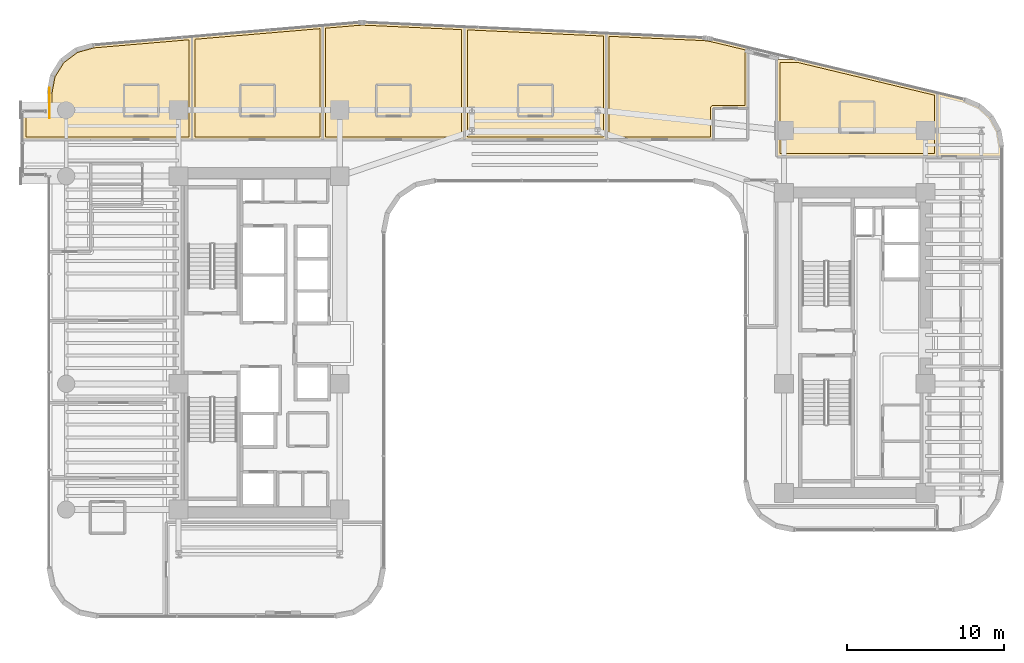
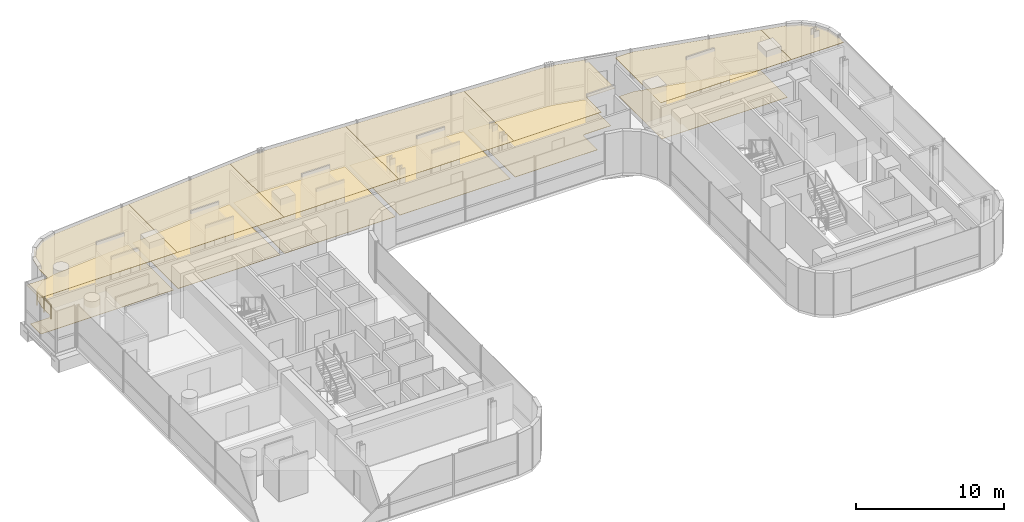
# One storey, part 35 of 35: 13 coverings, 1 railing.
"""IFC4 building model written with IfcOpenShell, lengths in metres."""

from ifc_helpers import new_model, si_unit, direction, frame, origin, origin_2d, place, context, subcontext, project, spatial, polyline, circle, outline, extrude, material, layer, layer_set, type_object, element, save


model = new_model("IFC4")

# Units and contexts
model_context = context("Model", 3, precision=1e-05, world=origin(), true_north=direction((0.0, 1.0)))
body_context = subcontext(model_context, "Body", "Model", "MODEL_VIEW")
ifc_project = project(units=[si_unit("LENGTHUNIT", "METRE"), si_unit("AREAUNIT", "SQUARE_METRE"), si_unit("VOLUMEUNIT", "CUBIC_METRE"), si_unit("PLANEANGLEUNIT", "RADIAN"), si_unit("MASSUNIT", "GRAM", prefix="KILO")], contexts=[model_context])

# Site, building, storey
site_placement = place(None, origin())
site = spatial("IfcSite", under=ifc_project, at=site_placement, CompositionType="ELEMENT")
building_placement = place(site_placement, origin())
building = spatial("IfcBuilding", under=site, at=building_placement, Name="Valdorenza Pilgrim Sanctuary Tower", CompositionType="ELEMENT")
storey_placement = place(building_placement, frame((0.0, 0.0, 116.800048828125)))
storey = spatial("IfcBuildingStorey", under=building, at=storey_placement, Name="L29", CompositionType="ELEMENT", Elevation=116.800048828125)

# Coverings
ifc_material_1 = material(Name="Micro-perforated acoustic mineral ceiling tile", Category="gypsum")
ifc_layer_1 = layer(ifc_material_1, 0.02490234375, Name="Micro-perforated acoustic mineral ceiling tile")
ifc_layer_set_1 = layer_set([ifc_layer_1], Name="Micro-perforated acoustic mineral ceiling tile")
covering_type_1 = type_object("IfcCoveringType", Name="COV-CLG-ACU", PredefinedType="CEILING", material=ifc_layer_set_1)
covering_1_placement = place(storey_placement, frame((0.0, 0.0, 3.159912109375)))
element("IfcCovering", 1, at=covering_1_placement, inside=storey, type_object=covering_type_1, Name="L29 North Guest Room L29-N1 Acoustic Ceiling", PredefinedType="CEILING", context=body_context, shape_type="SweptSolid", body=[
    extrude(outline(polyline([(-31.00048828125, 14.705078125), (-30.99072265625, 14.70556640625), (-30.9814453125, 14.706787109375), (-30.972412109375, 14.708984375), (-30.963623046875, 14.712158203125), (-30.955078125, 14.71630859375), (-30.947265625, 14.720947265625), (-30.939697265625, 14.7265625), (-30.932861328125, 14.73291015625), (-30.926513671875, 14.73974609375), (-30.9208984375, 14.747314453125), (-30.916259765625, 14.755126953125), (-30.912109375, 14.763671875), (-30.9091796875, 14.7724609375), (-30.90673828125, 14.781494140625), (-30.905517578125, 14.790771484375), (-30.905029296875, 14.80029296875), (-30.905029296875, 15.850341796875), (-30.90478515625, 15.8515625), (-30.90478515625, 15.85302734375), (-30.692138671875, 16.984130859375), (-30.69189453125, 16.985595703125), (-30.69140625, 16.98681640625), (-30.69091796875, 16.98828125), (-30.690185546875, 16.989501953125), (-30.0869140625, 17.95751953125), (-30.086181640625, 17.958740234375), (-30.085205078125, 17.959716796875), (-30.084228515625, 17.960693359375), (-30.083251953125, 17.961669921875), (-29.169677734375, 18.64453125), (-29.16845703125, 18.6455078125), (-29.167236328125, 18.64599609375), (-29.166015625, 18.646484375), (-29.164794921875, 18.647216796875), (-28.055419921875, 18.95458984375), (-28.05419921875, 18.955078125), (-28.052734375, 18.955078125), (-21.801513671875, 19.486572265625), (-21.80029296875, 19.486572265625), (-21.800048828125, 19.486572265625), (-21.798583984375, 19.486572265625), (-21.797119140625, 19.486328125), (-21.795654296875, 19.486083984375), (-21.794189453125, 19.485595703125), (-21.79296875, 19.48486328125), (-21.791748046875, 19.484130859375), (-21.79052734375, 19.483154296875), (-21.789306640625, 19.482177734375), (-21.788330078125, 19.481201171875), (-21.78759765625, 19.47998046875), (-21.786865234375, 19.478759765625), (-21.7861328125, 19.477294921875), (-21.78564453125, 19.47607421875), (-21.785400390625, 19.474609375), (-21.78515625, 19.47314453125), (-21.784912109375, 19.4716796875), (-21.784912109375, 12.919921875), (-21.78515625, 12.91845703125), (-21.785400390625, 12.9169921875), (-21.78564453125, 12.91552734375), (-21.7861328125, 12.914306640625), (-21.786865234375, 12.912841796875), (-21.78759765625, 12.91162109375), (-21.788330078125, 12.910400390625), (-21.789306640625, 12.909423828125), (-21.79052734375, 12.908447265625), (-21.791748046875, 12.907470703125), (-21.79296875, 12.90673828125), (-21.794189453125, 12.906005859375), (-21.795654296875, 12.905517578125), (-21.797119140625, 12.9052734375), (-21.798583984375, 12.905029296875), (-21.800048828125, 12.905029296875), (-32.5400390625, 12.905029296875), (-32.54150390625, 12.905029296875), (-32.54296875, 12.9052734375), (-32.54443359375, 12.905517578125), (-32.545654296875, 12.906005859375), (-32.547119140625, 12.90673828125), (-32.54833984375, 12.907470703125), (-32.549560546875, 12.908447265625), (-32.550537109375, 12.909423828125), (-32.551513671875, 12.910400390625), (-32.552490234375, 12.91162109375), (-32.55322265625, 12.912841796875), (-32.553955078125, 12.914306640625), (-32.554443359375, 12.91552734375), (-32.5546875, 12.9169921875), (-32.554931640625, 12.91845703125), (-32.554931640625, 12.919921875), (-32.554931640625, 14.68994140625), (-32.554931640625, 14.69140625), (-32.5546875, 14.69287109375), (-32.554443359375, 14.6943359375), (-32.553955078125, 14.69580078125), (-32.55322265625, 14.697021484375), (-32.552490234375, 14.6982421875), (-32.551513671875, 14.699462890625), (-32.550537109375, 14.70068359375), (-32.549560546875, 14.70166015625), (-32.54833984375, 14.702392578125), (-32.547119140625, 14.703125), (-32.545654296875, 14.703857421875), (-32.54443359375, 14.704345703125), (-32.54296875, 14.70458984375), (-32.54150390625, 14.704833984375), (-32.5400390625, 14.705078125), (-31.00048828125, 14.705078125)])), origin(), (0.0, 0.0, 1.0), 0.025146484375),
])
covering_2_placement = place(storey_placement, frame((0.0, 0.0, 3.159912109375)))
element("IfcCovering", 2, at=covering_2_placement, inside=storey, type_object=covering_type_1, Name="L29 North Guest Room L29-N2 Acoustic Ceiling", PredefinedType="CEILING", context=body_context, shape_type="SweptSolid", body=[
    extrude(outline(polyline([(-21.81298828125, 19.4716796875), (-21.81298828125, 19.472412109375), (-21.81298828125, 19.473876953125), (-21.8125, 19.475341796875), (-21.812255859375, 19.476806640625), (-21.8115234375, 19.47802734375), (-21.81103515625, 19.479248046875), (-21.810302734375, 19.48046875), (-21.809326171875, 19.481689453125), (-21.808349609375, 19.482666015625), (-21.80712890625, 19.483642578125), (-21.805908203125, 19.484619140625), (-21.8046875, 19.485107421875), (-21.803466796875, 19.48583984375), (-21.802001953125, 19.486083984375), (-21.80078125, 19.486572265625), (-21.79931640625, 19.48681640625), (-13.481201171875, 20.193603515625), (-13.479736328125, 20.19384765625), (-13.478515625, 20.193603515625), (-13.476806640625, 20.193603515625), (-13.4755859375, 20.193115234375), (-13.47412109375, 20.192626953125), (-13.472900390625, 20.19189453125), (-13.4716796875, 20.191162109375), (-13.470458984375, 20.190185546875), (-13.46923828125, 20.189208984375), (-13.468505859375, 20.188232421875), (-13.467529296875, 20.18701171875), (-13.466796875, 20.185791015625), (-13.466064453125, 20.1845703125), (-13.465576171875, 20.18310546875), (-13.46533203125, 20.181640625), (-13.465087890625, 20.18017578125), (-13.465087890625, 20.1787109375), (-13.465087890625, 12.919921875), (-13.465087890625, 12.91845703125), (-13.46533203125, 12.9169921875), (-13.465576171875, 12.91552734375), (-13.466064453125, 12.914306640625), (-13.466796875, 12.912841796875), (-13.467529296875, 12.91162109375), (-13.468505859375, 12.910400390625), (-13.469482421875, 12.909423828125), (-13.470458984375, 12.908447265625), (-13.4716796875, 12.907470703125), (-13.472900390625, 12.90673828125), (-13.474365234375, 12.906005859375), (-13.4755859375, 12.905517578125), (-13.47705078125, 12.9052734375), (-13.478515625, 12.905029296875), (-13.47998046875, 12.905029296875), (-21.798095703125, 12.905029296875), (-21.799560546875, 12.905029296875), (-21.80078125, 12.9052734375), (-21.802490234375, 12.905517578125), (-21.8037109375, 12.906005859375), (-21.80517578125, 12.90673828125), (-21.806396484375, 12.907470703125), (-21.8076171875, 12.908447265625), (-21.80859375, 12.909423828125), (-21.8095703125, 12.910400390625), (-21.810546875, 12.91162109375), (-21.811279296875, 12.912841796875), (-21.81201171875, 12.914306640625), (-21.8125, 12.91552734375), (-21.812744140625, 12.9169921875), (-21.81298828125, 12.91845703125), (-21.81298828125, 12.919921875), (-21.81298828125, 19.4716796875), (-21.81298828125, 19.4716796875)])), origin(), (0.0, 0.0, 1.0), 0.025146484375),
])
covering_3_placement = place(storey_placement, frame((0.0, 0.0, 3.159912109375)))
element("IfcCovering", 3, at=covering_3_placement, inside=storey, type_object=covering_type_1, Name="L29 North Guest Room L29-N3 Acoustic Ceiling", PredefinedType="CEILING", context=body_context, shape_type="SweptSolid", body=[
    extrude(outline(polyline([(-13.492919921875, 20.1787109375), (-13.492919921875, 20.1796875), (-13.492919921875, 20.18115234375), (-13.49267578125, 20.1826171875), (-13.4921875, 20.183837890625), (-13.49169921875, 20.185302734375), (-13.490966796875, 20.1865234375), (-13.490234375, 20.187744140625), (-13.4892578125, 20.188720703125), (-13.48828125, 20.18994140625), (-13.4873046875, 20.19091796875), (-13.486083984375, 20.191650390625), (-13.48486328125, 20.1923828125), (-13.4833984375, 20.19287109375), (-13.482177734375, 20.193359375), (-13.480712890625, 20.193603515625), (-13.479248046875, 20.19384765625), (-11.20068359375, 20.3876953125), (-11.200439453125, 20.3876953125), (-11.099365234375, 20.39453125), (-11.098876953125, 20.39453125), (-10.998291015625, 20.398193359375), (-10.997802734375, 20.398193359375), (-10.897216796875, 20.398681640625), (-10.896728515625, 20.398681640625), (-10.79541015625, 20.3955078125), (-10.795166015625, 20.3955078125), (-4.46923828125, 20.10791015625), (-4.468017578125, 20.10791015625), (-4.466552734375, 20.107666015625), (-4.465087890625, 20.107177734375), (-4.4638671875, 20.106689453125), (-4.46240234375, 20.10595703125), (-4.461181640625, 20.105224609375), (-4.460205078125, 20.1044921875), (-4.459228515625, 20.103515625), (-4.458251953125, 20.102294921875), (-4.45751953125, 20.101318359375), (-4.456787109375, 20.099853515625), (-4.4560546875, 20.0986328125), (-4.45556640625, 20.097412109375), (-4.455322265625, 20.095947265625), (-4.455078125, 20.094482421875), (-4.455078125, 20.093017578125), (-4.455078125, 12.919921875), (-4.455078125, 12.91845703125), (-4.455322265625, 12.9169921875), (-4.45556640625, 12.91552734375), (-4.4560546875, 12.914306640625), (-4.456787109375, 12.912841796875), (-4.45751953125, 12.91162109375), (-4.45849609375, 12.910400390625), (-4.45947265625, 12.909423828125), (-4.46044921875, 12.908447265625), (-4.461669921875, 12.907470703125), (-4.462890625, 12.90673828125), (-4.46435546875, 12.906005859375), (-4.465576171875, 12.905517578125), (-4.467041015625, 12.9052734375), (-4.468505859375, 12.905029296875), (-4.469970703125, 12.905029296875), (-13.47802734375, 12.905029296875), (-13.4794921875, 12.905029296875), (-13.48095703125, 12.9052734375), (-13.482421875, 12.905517578125), (-13.483642578125, 12.906005859375), (-13.485107421875, 12.90673828125), (-13.486328125, 12.907470703125), (-13.487548828125, 12.908447265625), (-13.488525390625, 12.909423828125), (-13.489501953125, 12.910400390625), (-13.490478515625, 12.91162109375), (-13.4912109375, 12.912841796875), (-13.491943359375, 12.914306640625), (-13.492431640625, 12.91552734375), (-13.49267578125, 12.9169921875), (-13.492919921875, 12.91845703125), (-13.492919921875, 12.919921875), (-13.492919921875, 20.1787109375), (-13.492919921875, 20.1787109375)])), origin(), (0.0, 0.0, 1.0), 0.025146484375),
])
covering_4_placement = place(storey_placement, frame((0.0, 0.0, 3.159912109375)))
element("IfcCovering", 4, at=covering_4_placement, inside=storey, type_object=covering_type_1, Name="L29 North Guest Room L29-N4 Acoustic Ceiling", PredefinedType="CEILING", context=body_context, shape_type="SweptSolid", body=[
    extrude(outline(polyline([(4.540771484375, 19.698486328125), (4.5419921875, 19.698486328125), (4.54345703125, 19.697998046875), (4.544921875, 19.69775390625), (4.546142578125, 19.697265625), (4.547607421875, 19.696533203125), (4.548583984375, 19.69580078125), (4.5498046875, 19.69482421875), (4.55078125, 19.69384765625), (4.5517578125, 19.69287109375), (4.552490234375, 19.691650390625), (4.55322265625, 19.6904296875), (4.553955078125, 19.689208984375), (4.554443359375, 19.687744140625), (4.5546875, 19.686279296875), (4.554931640625, 19.684814453125), (4.554931640625, 19.68359375), (4.554931640625, 12.919921875), (4.554931640625, 12.91845703125), (4.5546875, 12.9169921875), (4.554443359375, 12.91552734375), (4.553955078125, 12.914306640625), (4.55322265625, 12.912841796875), (4.552490234375, 12.91162109375), (4.551513671875, 12.910400390625), (4.550537109375, 12.909423828125), (4.549560546875, 12.908447265625), (4.54833984375, 12.907470703125), (4.547119140625, 12.90673828125), (4.545654296875, 12.906005859375), (4.54443359375, 12.905517578125), (4.54296875, 12.9052734375), (4.54150390625, 12.905029296875), (4.5400390625, 12.905029296875), (-4.468017578125, 12.905029296875), (-4.469482421875, 12.905029296875), (-4.470947265625, 12.9052734375), (-4.472412109375, 12.905517578125), (-4.4736328125, 12.906005859375), (-4.47509765625, 12.90673828125), (-4.476318359375, 12.907470703125), (-4.4775390625, 12.908447265625), (-4.478515625, 12.909423828125), (-4.4794921875, 12.910400390625), (-4.48046875, 12.91162109375), (-4.481201171875, 12.912841796875), (-4.48193359375, 12.914306640625), (-4.482421875, 12.91552734375), (-4.482666015625, 12.9169921875), (-4.48291015625, 12.91845703125), (-4.48291015625, 12.919921875), (-4.48291015625, 20.093017578125), (-4.48291015625, 20.094482421875), (-4.482666015625, 20.095947265625), (-4.482421875, 20.097412109375), (-4.481689453125, 20.098876953125), (-4.481201171875, 20.10009765625), (-4.480224609375, 20.1015625), (-4.4794921875, 20.102783203125), (-4.478515625, 20.103759765625), (-4.477294921875, 20.104736328125), (-4.47607421875, 20.105712890625), (-4.474609375, 20.1064453125), (-4.473388671875, 20.10693359375), (-4.4716796875, 20.107421875), (-4.47021484375, 20.10791015625), (-4.46875, 20.10791015625), (-4.46728515625, 20.10791015625), (4.540771484375, 19.698486328125)])), origin(), (0.0, 0.0, 1.0), 0.025146484375),
])
covering_5_placement = place(storey_placement, frame((0.0, 0.0, 3.159912109375)))
element("IfcCovering", 5, at=covering_5_placement, inside=storey, type_object=covering_type_1, Name="L29 North Guest Room L29-N5 Acoustic Ceiling", PredefinedType="CEILING", context=body_context, shape_type="SweptSolid", body=[
    extrude(outline(polyline([(10.690673828125, 19.4189453125), (10.69091796875, 19.4189453125), (10.838134765625, 19.40869140625), (10.8388671875, 19.40869140625), (10.984375, 19.3916015625), (10.985107421875, 19.3916015625), (11.12939453125, 19.36767578125), (11.130126953125, 19.36767578125), (11.274658203125, 19.336669921875), (11.27490234375, 19.33642578125), (13.553466796875, 18.791015625), (13.554931640625, 18.790771484375), (13.55615234375, 18.790283203125), (13.5576171875, 18.78955078125), (13.55859375, 18.788818359375), (13.559814453125, 18.787841796875), (13.560791015625, 18.786865234375), (13.561767578125, 18.785888671875), (13.5625, 18.78466796875), (13.563232421875, 18.783447265625), (13.56396484375, 18.781982421875), (13.564453125, 18.78076171875), (13.564697265625, 18.779296875), (13.56494140625, 18.778076171875), (13.56494140625, 18.776611328125), (13.56494140625, 14.922119140625), (13.56494140625, 14.92041015625), (13.564697265625, 14.919189453125), (13.564453125, 14.91748046875), (13.56396484375, 14.916259765625), (13.563232421875, 14.914794921875), (13.5625, 14.913818359375), (13.5615234375, 14.91259765625), (13.560546875, 14.911376953125), (13.5595703125, 14.910400390625), (13.558349609375, 14.909423828125), (13.55712890625, 14.90869140625), (13.5556640625, 14.908203125), (13.554443359375, 14.90771484375), (13.552978515625, 14.9072265625), (13.551513671875, 14.906982421875), (13.550048828125, 14.906982421875), (11.363037109375, 14.906982421875), (11.363037109375, 12.919921875), (11.36279296875, 12.91845703125), (11.36279296875, 12.9169921875), (11.3623046875, 12.91552734375), (11.36181640625, 12.914306640625), (11.361083984375, 12.912841796875), (11.360595703125, 12.91162109375), (11.359619140625, 12.910400390625), (11.358642578125, 12.909423828125), (11.357421875, 12.908447265625), (11.356201171875, 12.907470703125), (11.35498046875, 12.90673828125), (11.353759765625, 12.906005859375), (11.352294921875, 12.905517578125), (11.350830078125, 12.9052734375), (11.349609375, 12.905029296875), (11.347900390625, 12.905029296875), (4.5419921875, 12.905029296875), (4.54052734375, 12.905029296875), (4.5390625, 12.9052734375), (4.53759765625, 12.905517578125), (4.536376953125, 12.906005859375), (4.534912109375, 12.90673828125), (4.53369140625, 12.907470703125), (4.532470703125, 12.908447265625), (4.531494140625, 12.909423828125), (4.530517578125, 12.910400390625), (4.529541015625, 12.91162109375), (4.52880859375, 12.912841796875), (4.528076171875, 12.914306640625), (4.527587890625, 12.91552734375), (4.52734375, 12.9169921875), (4.527099609375, 12.91845703125), (4.527099609375, 12.919921875), (4.527099609375, 19.683349609375), (4.527099609375, 19.684814453125), (4.52734375, 19.686279296875), (4.527587890625, 19.68798828125), (4.5283203125, 19.689208984375), (4.52880859375, 19.690673828125), (4.52978515625, 19.69189453125), (4.530517578125, 19.693115234375), (4.531494140625, 19.6943359375), (4.53271484375, 19.6953125), (4.533935546875, 19.696044921875), (4.535400390625, 19.697021484375), (4.53662109375, 19.697509765625), (4.5380859375, 19.697998046875), (4.539794921875, 19.6982421875), (4.541259765625, 19.698486328125), (4.542724609375, 19.698486328125), (10.690673828125, 19.4189453125)])), origin(), (0.0, 0.0, 1.0), 0.025146484375),
])
covering_6_placement = place(storey_placement, frame((0.0, 0.0, 3.159912109375)))
element("IfcCovering", 6, at=covering_6_placement, inside=storey, type_object=covering_type_1, Name="L29 East North Guest Room L29-EN1 Acoustic Ceiling", PredefinedType="CEILING", context=body_context, shape_type="SweptSolid", body=[
    extrude(outline(polyline([(16.794189453125, 18.014892578125), (16.7958984375, 18.014892578125), (16.797607421875, 18.0146484375), (25.603515625, 15.90673828125), (25.60498046875, 15.906494140625), (25.606201171875, 15.906005859375), (25.607421875, 15.9052734375), (25.608642578125, 15.904541015625), (25.60986328125, 15.903564453125), (25.61083984375, 15.902587890625), (25.61181640625, 15.901611328125), (25.612548828125, 15.900390625), (25.61328125, 15.899169921875), (25.614013671875, 15.897705078125), (25.614501953125, 15.896484375), (25.61474609375, 15.89501953125), (25.614990234375, 15.893798828125), (25.614990234375, 15.892333984375), (25.614990234375, 11.85009765625), (25.614990234375, 11.848388671875), (25.61474609375, 11.84716796875), (25.614501953125, 11.845703125), (25.614013671875, 11.84423828125), (25.61328125, 11.843017578125), (25.612548828125, 11.841796875), (25.611572265625, 11.840576171875), (25.610595703125, 11.83935546875), (25.609619140625, 11.83837890625), (25.6083984375, 11.83740234375), (25.607177734375, 11.8369140625), (25.605712890625, 11.836181640625), (25.6044921875, 11.835693359375), (25.602783203125, 11.835205078125), (25.6015625, 11.835205078125), (25.60009765625, 11.8349609375), (15.39990234375, 11.8349609375), (15.3984375, 11.835205078125), (15.397216796875, 11.835205078125), (15.3955078125, 11.835693359375), (15.394287109375, 11.836181640625), (15.392822265625, 11.8369140625), (15.3916015625, 11.83740234375), (15.390380859375, 11.83837890625), (15.389404296875, 11.83935546875), (15.388427734375, 11.840576171875), (15.387451171875, 11.841796875), (15.38671875, 11.843017578125), (15.385986328125, 11.84423828125), (15.385498046875, 11.845703125), (15.38525390625, 11.84716796875), (15.385009765625, 11.848388671875), (15.385009765625, 11.85009765625), (15.385009765625, 18.0), (15.385009765625, 18.00146484375), (15.38525390625, 18.0029296875), (15.385498046875, 18.00439453125), (15.385986328125, 18.005615234375), (15.38671875, 18.007080078125), (15.387451171875, 18.00830078125), (15.388427734375, 18.009521484375), (15.389404296875, 18.010498046875), (15.390380859375, 18.01171875), (15.3916015625, 18.012451171875), (15.392822265625, 18.01318359375), (15.394287109375, 18.013916015625), (15.3955078125, 18.014404296875), (15.397216796875, 18.0146484375), (15.3984375, 18.014892578125), (15.39990234375, 18.014892578125), (16.794189453125, 18.014892578125)])), origin(), (0.0, 0.0, 1.0), 0.025146484375),
])
covering_7_placement = place(storey_placement, frame((0.0, 0.0, 3.159912109375)))
element("IfcCovering", 7, at=covering_7_placement, inside=storey, type_object=covering_type_1, Name="L29 East Wing Reference Library L29-BNE Acoustic Ceiling", PredefinedType="CEILING", context=body_context, shape_type="SweptSolid", body=[
    extrude(outline(polyline([(27.313720703125, 15.49755859375), (27.31494140625, 15.4970703125), (27.316162109375, 15.49658203125), (28.269775390625, 15.09130859375), (28.271240234375, 15.090576171875), (28.272705078125, 15.089599609375), (28.27392578125, 15.088623046875), (29.034912109375, 14.3994140625), (29.035888671875, 14.398193359375), (29.037109375, 14.39697265625), (29.037841796875, 14.3955078125), (29.531005859375, 13.4951171875), (29.53173828125, 13.49365234375), (29.5322265625, 13.4921875), (29.53271484375, 13.490478515625), (29.704833984375, 12.468994140625), (29.704833984375, 12.467529296875), (29.705078125, 12.46630859375), (29.705078125, 11.85009765625), (29.704833984375, 11.848388671875), (29.70458984375, 11.84716796875), (29.704345703125, 11.845703125), (29.703857421875, 11.84423828125), (29.703125, 11.843017578125), (29.702392578125, 11.841796875), (29.70166015625, 11.840576171875), (29.70068359375, 11.83935546875), (29.699462890625, 11.83837890625), (29.6982421875, 11.83740234375), (29.697021484375, 11.8369140625), (29.69580078125, 11.836181640625), (29.6943359375, 11.835693359375), (29.69287109375, 11.835205078125), (29.69140625, 11.835205078125), (29.68994140625, 11.8349609375), (25.60205078125, 11.8349609375), (25.6005859375, 11.835205078125), (25.59912109375, 11.835205078125), (25.59765625, 11.835693359375), (25.59619140625, 11.836181640625), (25.594970703125, 11.8369140625), (25.59375, 11.83740234375), (25.592529296875, 11.83837890625), (25.59130859375, 11.83935546875), (25.59033203125, 11.840576171875), (25.589599609375, 11.841796875), (25.5888671875, 11.843017578125), (25.588134765625, 11.84423828125), (25.587646484375, 11.845703125), (25.58740234375, 11.84716796875), (25.587158203125, 11.848388671875), (25.5869140625, 11.85009765625), (25.5869140625, 15.891845703125), (25.587158203125, 15.893310546875), (25.58740234375, 15.894775390625), (25.587646484375, 15.896240234375), (25.588134765625, 15.897705078125), (25.5888671875, 15.89892578125), (25.589599609375, 15.900390625), (25.590576171875, 15.901611328125), (25.591552734375, 15.902587890625), (25.5927734375, 15.903564453125), (25.593994140625, 15.904296875), (25.59521484375, 15.9052734375), (25.5966796875, 15.90576171875), (25.597900390625, 15.90625), (25.599609375, 15.906494140625), (25.60107421875, 15.90673828125), (25.6025390625, 15.90673828125), (25.60400390625, 15.906494140625), (25.60546875, 15.906494140625), (27.313720703125, 15.49755859375)])), origin(), (0.0, 0.0, 1.0), 0.025146484375),
])
ifc_material_2 = material(Name="Engineered European oak timber flooring", Category="wood")
ifc_layer_2 = layer(ifc_material_2, 0.02197265625, Name="Engineered European oak timber flooring")
ifc_layer_set_2 = layer_set([ifc_layer_2], Name="Engineered European oak timber flooring")
covering_type_2 = type_object("IfcCoveringType", Name="COV-FLR-OAK", PredefinedType="FLOORING", material=ifc_layer_set_2)
covering_8_placement = place(storey_placement, origin())
element("IfcCovering", 8, at=covering_8_placement, inside=storey, type_object=covering_type_2, Name="L29 North Guest Room L29-N1 Flooring", PredefinedType="FLOORING", context=body_context, shape_type="SweptSolid", body=[
    extrude(outline(polyline([(-31.0, 14.510009765625), (-30.9912109375, 14.51025390625), (-30.98046875, 14.5107421875), (-30.962890625, 14.512451171875), (-30.9521484375, 14.51416015625), (-30.934814453125, 14.517578125), (-30.92431640625, 14.52001953125), (-30.907470703125, 14.525390625), (-30.897216796875, 14.52880859375), (-30.880859375, 14.53564453125), (-30.87109375, 14.540283203125), (-30.855712890625, 14.548583984375), (-30.84619140625, 14.55419921875), (-30.831787109375, 14.56396484375), (-30.822998046875, 14.5703125), (-30.809326171875, 14.58154296875), (-30.80126953125, 14.5888671875), (-30.788818359375, 14.601318359375), (-30.781494140625, 14.609375), (-30.7705078125, 14.623046875), (-30.763916015625, 14.631591796875), (-30.754150390625, 14.646240234375), (-30.74853515625, 14.655517578125), (-30.740234375, 14.671142578125), (-30.735595703125, 14.680908203125), (-30.72900390625, 14.697265625), (-30.725341796875, 14.70751953125), (-30.72021484375, 14.724365234375), (-30.717529296875, 14.73486328125), (-30.714111328125, 14.752197265625), (-30.71240234375, 14.7626953125), (-30.710693359375, 14.780517578125), (-30.710205078125, 14.791259765625), (-30.7099609375, 14.800048828125), (-30.7099609375, 15.83349609375), (-30.5068359375, 16.9150390625), (-29.939208984375, 17.82568359375), (-29.080078125, 18.46826171875), (-28.01953125, 18.76220703125), (-21.980224609375, 19.275634765625), (-21.97998046875, 13.10009765625), (-32.360107421875, 13.10009765625), (-32.360107421875, 14.510009765625), (-31.0, 14.510009765625)])), origin(), (0.0, 0.0, 1.0), 0.02490234375),
])
covering_9_placement = place(storey_placement, origin())
element("IfcCovering", 9, at=covering_9_placement, inside=storey, type_object=covering_type_2, Name="L29 North Guest Room L29-N2 Flooring", PredefinedType="FLOORING", context=body_context, shape_type="SweptSolid", body=[
    extrude(outline(polyline([(-13.659912109375, 19.98291015625), (-13.659912109375, 13.10009765625), (-21.617919921875, 13.10009765625), (-21.617919921875, 19.306396484375), (-13.659912109375, 19.98291015625)])), origin(), (0.0, 0.0, 1.0), 0.02490234375),
])
covering_10_placement = place(storey_placement, origin())
element("IfcCovering", 10, at=covering_10_placement, inside=storey, type_object=covering_type_2, Name="L29 North Guest Room L29-N3 Flooring", PredefinedType="FLOORING", context=body_context, shape_type="SweptSolid", body=[
    extrude(outline(polyline([(-11.185546875, 20.193115234375), (-11.0888671875, 20.199951171875), (-10.994140625, 20.203125), (-10.8994140625, 20.20361328125), (-10.802490234375, 20.20068359375), (-4.64990234375, 19.9208984375), (-4.64990234375, 13.10009765625), (-13.298095703125, 13.10009765625), (-13.298095703125, 20.013427734375), (-11.185546875, 20.193115234375)])), origin(), (0.0, 0.0, 1.0), 0.02490234375),
])
covering_11_placement = place(storey_placement, origin())
element("IfcCovering", 11, at=covering_11_placement, inside=storey, type_object=covering_type_2, Name="L29 North Guest Room L29-N4 Flooring", PredefinedType="FLOORING", context=body_context, shape_type="SweptSolid", body=[
    extrude(outline(polyline([(4.360107421875, 19.511474609375), (4.360107421875, 13.10009765625), (-4.2880859375, 13.10009765625), (-4.2880859375, 19.904541015625), (4.360107421875, 19.511474609375)])), origin(), (0.0, 0.0, 1.0), 0.02490234375),
])
covering_12_placement = place(storey_placement, origin())
element("IfcCovering", 12, at=covering_12_placement, inside=storey, type_object=covering_type_2, Name="L29 North Guest Room L29-N5 Flooring", PredefinedType="FLOORING", context=body_context, shape_type="SweptSolid", body=[
    extrude(outline(polyline([(10.6796875, 19.224365234375), (10.820556640625, 19.214599609375), (10.95751953125, 19.198486328125), (11.093505859375, 19.176025390625), (11.231689453125, 19.146484375), (13.3701171875, 18.634521484375), (13.3701171875, 15.10205078125), (11.35009765625, 15.10205078125), (11.34130859375, 15.101806640625), (11.341064453125, 15.101806640625), (11.323486328125, 15.10009765625), (11.3232421875, 15.10009765625), (11.305908203125, 15.0966796875), (11.3056640625, 15.096435546875), (11.288818359375, 15.09130859375), (11.28857421875, 15.09130859375), (11.272216796875, 15.084716796875), (11.272216796875, 15.08447265625), (11.256591796875, 15.076171875), (11.25634765625, 15.076171875), (11.24169921875, 15.066162109375), (11.241455078125, 15.066162109375), (11.227783203125, 15.054931640625), (11.227783203125, 15.0546875), (11.215087890625, 15.042236328125), (11.215087890625, 15.0419921875), (11.203857421875, 15.028564453125), (11.203857421875, 15.0283203125), (11.19384765625, 15.013671875), (11.19384765625, 15.013427734375), (11.185546875, 14.997802734375), (11.185302734375, 14.997802734375), (11.1787109375, 14.9814453125), (11.1787109375, 14.981201171875), (11.173583984375, 14.96435546875), (11.17333984375, 14.964111328125), (11.169921875, 14.94677734375), (11.169921875, 14.946533203125), (11.168212890625, 14.928955078125), (11.168212890625, 14.9287109375), (11.16796875, 14.919921875), (11.16796875, 13.10009765625), (4.721923828125, 13.10009765625), (4.721923828125, 19.4951171875), (10.6796875, 19.224365234375)])), origin(), (0.0, 0.0, 1.0), 0.02490234375),
])
covering_13_placement = place(storey_placement, origin())
element("IfcCovering", 13, at=covering_13_placement, inside=storey, type_object=covering_type_2, Name="L29 East North Guest Room L29-EN1 Flooring", PredefinedType="FLOORING", context=body_context, shape_type="SweptSolid", body=[
    extrude(outline(polyline([(16.77294921875, 17.820068359375), (25.419921875, 15.750244140625), (25.419921875, 12.030029296875), (15.580078125, 12.030029296875), (15.580078125, 17.820068359375), (16.77294921875, 17.820068359375)])), origin(), (0.0, 0.0, 1.0), 0.02490234375),
])

# Railing
ifc_material_3 = material(Name="Stainless steel Grade 316", Category="steel")
railing_type = type_object("IfcRailingType", Name="RLG-GRD-1120", PredefinedType="GUARDRAIL", material=ifc_material_3)
railing_placement = place(storey_placement, frame((-30.860107421875, 14.300048828125, 0.0)))
element("IfcRailing", 14, at=railing_placement, inside=storey, type_object=railing_type, Name="L29 NW Tangent Safety Sill Guard", PredefinedType="GUARDRAIL", context=body_context, shape_type="SweptSolid", body=[
    extrude(circle(Radius=0.02392578125, at=origin_2d()), frame((0.0, 0.0, 1.17578125), z_axis=(0.0, 1.0, 0.0), x_axis=(-1.0, 0.0, 0.0)), (0.0, 0.0, 1.0), 1.89990234375),
    extrude(circle(Radius=0.02099609375, at=origin_2d()), origin(), (0.0, 0.0, 1.0), 1.15185546875),
    extrude(circle(Radius=0.02099609375, at=origin_2d()), frame((0.0, 0.949951171875, 0.0)), (0.0, 0.0, 1.0), 1.15185546875),
    extrude(circle(Radius=0.02099609375, at=origin_2d()), frame((0.0, 1.89990234375, 0.0)), (0.0, 0.0, 1.0), 1.15185546875),
])

save(model, "model.ifc")
